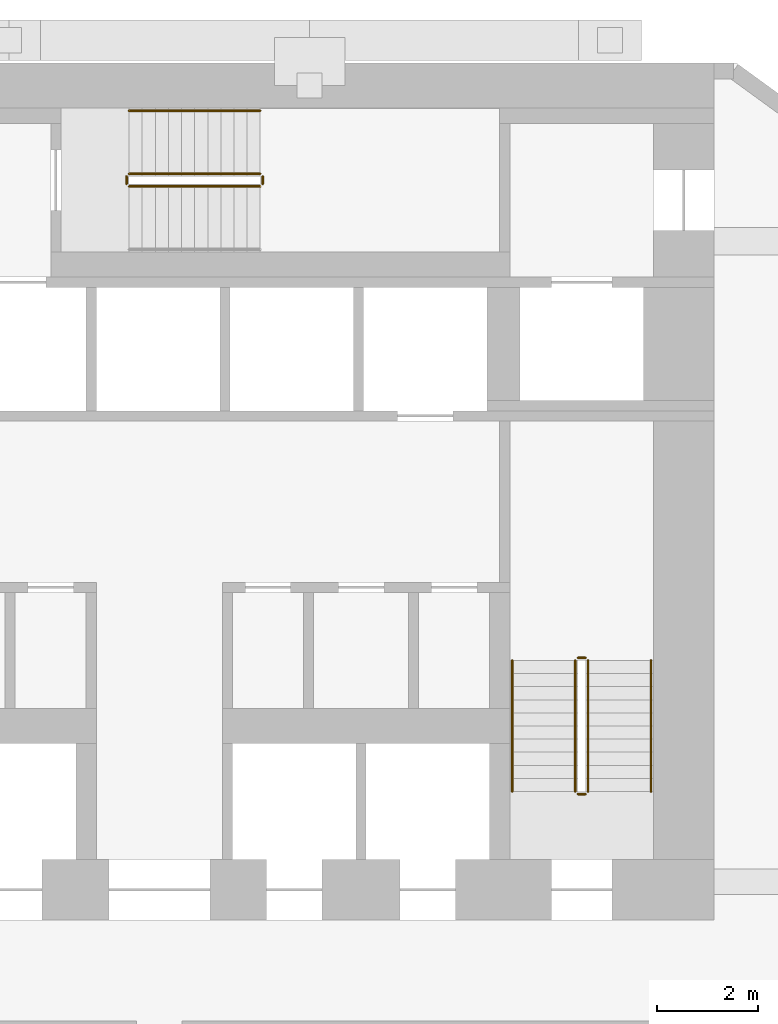
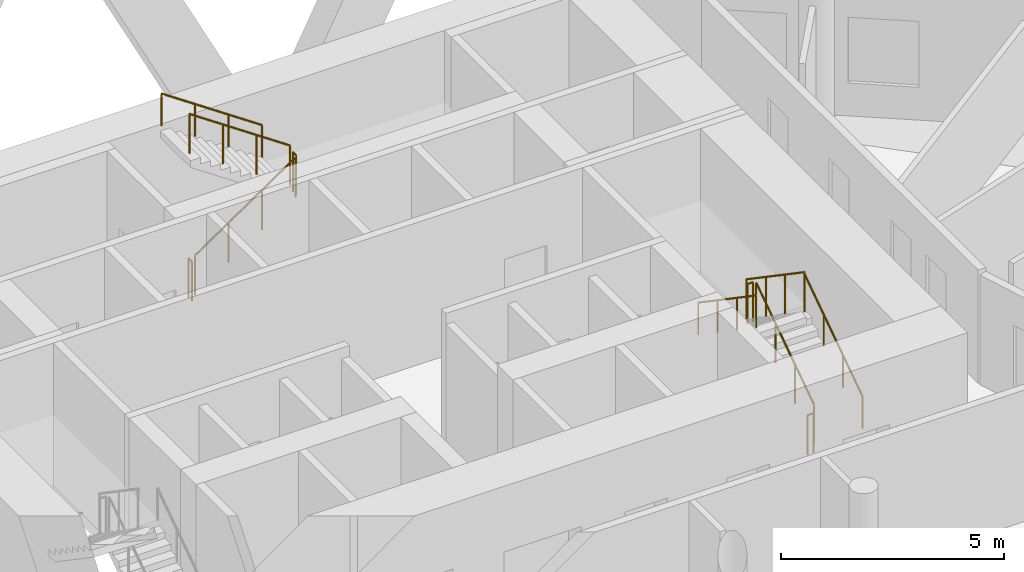
# One storey, part 10 of 10: 11 railings.
"""IFC4 building model written with IfcOpenShell, lengths in metres."""

from ifc_helpers import new_model, si_unit, direction, frame, origin, origin_2d, place, context, subcontext, project, spatial, circle, extrude, material, type_object, element, save


model = new_model("IFC4")

# Units and contexts
model_context = context("Model", 3, precision=1e-05, world=origin(), true_north=direction((0.0, 1.0)))
body_context = subcontext(model_context, "Body", "Model", "MODEL_VIEW")
ifc_project = project(units=[si_unit("LENGTHUNIT", "METRE"), si_unit("AREAUNIT", "SQUARE_METRE"), si_unit("VOLUMEUNIT", "CUBIC_METRE"), si_unit("PLANEANGLEUNIT", "RADIAN"), si_unit("MASSUNIT", "GRAM", prefix="KILO")], contexts=[model_context])

# Site, building, storey
site_placement = place(None, origin())
site = spatial("IfcSite", under=ifc_project, at=site_placement, CompositionType="ELEMENT")
building_placement = place(site_placement, origin())
building = spatial("IfcBuilding", under=site, at=building_placement, Name="White Candle Pilgrim Tower", CompositionType="ELEMENT")
storey_placement = place(building_placement, frame((0.0, 0.0, 54.60009765625)))
storey = spatial("IfcBuildingStorey", under=building, at=storey_placement, Name="L10", CompositionType="ELEMENT", Elevation=54.60009765625)

# Railings
ifc_material = material(Name="Stainless steel", Category="steel")
railing_type_1 = type_object("IfcRailingType", Name="Stair guard stainless steel 1100 mm", PredefinedType="GUARDRAIL", material=ifc_material)
railing_1_placement = place(storey_placement, frame((78.5, 73.550048828125, 0.17724609375)))
element("IfcRailing", 1, at=railing_1_placement, inside=storey, type_object=railing_type_1, Name="L10 ST2 stair guard 1", PredefinedType="GUARDRAIL", context=body_context, shape_type="SweptSolid", body=[
    extrude(circle(Radius=0.02392578125, at=origin_2d()), frame((0.0, 0.0, 1.076171875), z_axis=(0.0, 0.826215852431, 0.563353676824), x_axis=(-1.0, 0.0, 0.0)), (0.0, 0.0, 1.0), 3.146728515625),
    extrude(circle(Radius=0.02099609375, at=origin_2d()), origin(), (0.0, 0.0, 1.0), 1.052001953125),
    extrude(circle(Radius=0.02099609375, at=origin_2d()), frame((0.0, 0.86669921875, 0.5908203125)), (0.0, 0.0, 1.0), 1.052001953125),
    extrude(circle(Radius=0.02099609375, at=origin_2d()), frame((0.0, 1.733154296875, 1.181884765625)), (0.0, 0.0, 1.0), 1.052001953125),
    extrude(circle(Radius=0.02099609375, at=origin_2d()), frame((0.0, 2.599853515625, 1.772705078125)), (0.0, 0.0, 1.0), 1.052001953125),
])
railing_2_placement = place(storey_placement, frame((78.449951171875, 76.199951171875, 1.949951171875)))
element("IfcRailing", 2, at=railing_2_placement, inside=storey, type_object=railing_type_1, Name="L10 ST2 stair guard 2", PredefinedType="GUARDRAIL", context=body_context, shape_type="SweptSolid", body=[
    extrude(circle(Radius=0.02392578125, at=origin_2d()), frame((0.0, 0.0, 1.076171875), z_axis=(-1.0, 0.0, 0.0), x_axis=(0.0, -1.0, 0.0)), (0.0, 0.0, 1.0), 0.14990234375),
    extrude(circle(Radius=0.02099609375, at=origin_2d()), origin(), (0.0, 0.0, 1.0), 1.052001953125),
    extrude(circle(Radius=0.02099609375, at=origin_2d()), frame((-0.14990234375, 0.0, 0.0)), (0.0, 0.0, 1.0), 1.052001953125),
])
railing_3_placement = place(storey_placement, frame((78.25, 76.14990234375, 2.127197265625)))
element("IfcRailing", 3, at=railing_3_placement, inside=storey, type_object=railing_type_1, Name="L10 ST2 stair guard 3", PredefinedType="GUARDRAIL", context=body_context, shape_type="SweptSolid", body=[
    extrude(circle(Radius=0.02392578125, at=origin_2d()), frame((0.0, 0.0, 1.076171875), z_axis=(0.0, -0.826215852431, 0.563353676824), x_axis=(1.0, 0.0, 0.0)), (0.0, 0.0, 1.0), 3.146728515625),
    extrude(circle(Radius=0.02099609375, at=origin_2d()), origin(), (0.0, 0.0, 1.0), 1.052001953125),
    extrude(circle(Radius=0.02099609375, at=origin_2d()), frame((0.0, -0.86669921875, 0.5908203125)), (0.0, 0.0, 1.0), 1.052001953125),
    extrude(circle(Radius=0.02099609375, at=origin_2d()), frame((0.0, -1.733154296875, 1.181884765625)), (0.0, 0.0, 1.0), 1.052001953125),
    extrude(circle(Radius=0.02099609375, at=origin_2d()), frame((0.0, -2.599853515625, 1.772705078125)), (0.0, 0.0, 1.0), 1.052001953125),
])
railing_4_placement = place(storey_placement, frame((78.449951171875, 73.5, 0.0)))
element("IfcRailing", 4, at=railing_4_placement, inside=storey, type_object=railing_type_1, Name="L10 ST2 stair guard 4", PredefinedType="GUARDRAIL", context=body_context, shape_type="SweptSolid", body=[
    extrude(circle(Radius=0.02392578125, at=origin_2d()), frame((0.0, 0.0, 1.076171875), z_axis=(-1.0, 0.0, 0.0), x_axis=(0.0, -1.0, 0.0)), (0.0, 0.0, 1.0), 0.14990234375),
    extrude(circle(Radius=0.02099609375, at=origin_2d()), origin(), (0.0, 0.0, 1.0), 1.052001953125),
    extrude(circle(Radius=0.02099609375, at=origin_2d()), frame((-0.14990234375, 0.0, 0.0)), (0.0, 0.0, 1.0), 1.052001953125),
])
railing_5_placement = place(storey_placement, frame((69.39990234375, 85.550048828125, 0.17724609375)))
element("IfcRailing", 5, at=railing_5_placement, inside=storey, type_object=railing_type_1, Name="L10 ST3 stair guard 1", PredefinedType="GUARDRAIL", context=body_context, shape_type="SweptSolid", body=[
    extrude(circle(Radius=0.02392578125, at=origin_2d()), frame((0.0, 0.0, 1.076171875), z_axis=(0.826240473404, 0.0, 0.563317565952), x_axis=(0.0, 1.0, 0.0)), (0.0, 0.0, 1.0), 3.14697265625),
    extrude(circle(Radius=0.02099609375, at=origin_2d()), origin(), (0.0, 0.0, 1.0), 1.052001953125),
    extrude(circle(Radius=0.02099609375, at=origin_2d()), frame((0.86669921875, 0.0, 0.5908203125)), (0.0, 0.0, 1.0), 1.052001953125),
    extrude(circle(Radius=0.02099609375, at=origin_2d()), frame((1.7333984375, 0.0, 1.181884765625)), (0.0, 0.0, 1.0), 1.052001953125),
    extrude(circle(Radius=0.02099609375, at=origin_2d()), frame((2.60009765625, 0.0, 1.772705078125)), (0.0, 0.0, 1.0), 1.052001953125),
])
railing_6_placement = place(storey_placement, frame((72.050048828125, 85.60009765625, 1.949951171875)))
element("IfcRailing", 6, at=railing_6_placement, inside=storey, type_object=railing_type_1, Name="L10 ST3 stair guard 2", PredefinedType="GUARDRAIL", context=body_context, shape_type="SweptSolid", body=[
    extrude(circle(Radius=0.02392578125, at=origin_2d()), frame((0.0, 0.0, 1.076171875), z_axis=(0.0, 1.0, 0.0), x_axis=(-1.0, 0.0, 0.0)), (0.0, 0.0, 1.0), 0.14990234375),
    extrude(circle(Radius=0.02099609375, at=origin_2d()), origin(), (0.0, 0.0, 1.0), 1.052001953125),
    extrude(circle(Radius=0.02099609375, at=origin_2d()), frame((0.0, 0.14990234375, 0.0)), (0.0, 0.0, 1.0), 1.052001953125),
])
railing_7_placement = place(storey_placement, frame((72.0, 85.800048828125, 2.127197265625)))
element("IfcRailing", 7, at=railing_7_placement, inside=storey, type_object=railing_type_1, Name="L10 ST3 stair guard 3", PredefinedType="GUARDRAIL", context=body_context, shape_type="SweptSolid", body=[
    extrude(circle(Radius=0.02392578125, at=origin_2d()), frame((0.0, 0.0, 1.076171875), z_axis=(-0.826240473404, 0.0, 0.563317565952), x_axis=(0.0, -1.0, 0.0)), (0.0, 0.0, 1.0), 3.14697265625),
    extrude(circle(Radius=0.02099609375, at=origin_2d()), origin(), (0.0, 0.0, 1.0), 1.052001953125),
    extrude(circle(Radius=0.02099609375, at=origin_2d()), frame((-0.86669921875, 0.0, 0.5908203125)), (0.0, 0.0, 1.0), 1.052001953125),
    extrude(circle(Radius=0.02099609375, at=origin_2d()), frame((-1.7333984375, 0.0, 1.181884765625)), (0.0, 0.0, 1.0), 1.052001953125),
    extrude(circle(Radius=0.02099609375, at=origin_2d()), frame((-2.60009765625, 0.0, 1.772705078125)), (0.0, 0.0, 1.0), 1.052001953125),
])
railing_8_placement = place(storey_placement, frame((69.35009765625, 85.60009765625, 0.0)))
element("IfcRailing", 8, at=railing_8_placement, inside=storey, type_object=railing_type_1, Name="L10 ST3 stair guard 4", PredefinedType="GUARDRAIL", context=body_context, shape_type="SweptSolid", body=[
    extrude(circle(Radius=0.02392578125, at=origin_2d()), frame((0.0, 0.0, 1.076171875), z_axis=(0.0, 1.0, 0.0), x_axis=(-1.0, 0.0, 0.0)), (0.0, 0.0, 1.0), 0.14990234375),
    extrude(circle(Radius=0.02099609375, at=origin_2d()), origin(), (0.0, 0.0, 1.0), 1.052001953125),
    extrude(circle(Radius=0.02099609375, at=origin_2d()), frame((0.0, 0.14990234375, 0.0)), (0.0, 0.0, 1.0), 1.052001953125),
])
railing_type_2 = type_object("IfcRailingType", Name="Stair handrail stainless steel", PredefinedType="HANDRAIL", material=ifc_material)
railing_9_placement = place(storey_placement, frame((79.75, 73.550048828125, 0.17724609375)))
element("IfcRailing", 9, at=railing_9_placement, inside=storey, type_object=railing_type_2, Name="L10 ST2 stair handrail 1", PredefinedType="HANDRAIL", context=body_context, shape_type="SweptSolid", body=[
    extrude(circle(Radius=0.02392578125, at=origin_2d()), frame((0.0, 0.0, 0.8759765625), z_axis=(0.0, 0.826215852431, 0.563353676824), x_axis=(-1.0, 0.0, 0.0)), (0.0, 0.0, 1.0), 3.146728515625),
    extrude(circle(Radius=0.02099609375, at=origin_2d()), origin(), (0.0, 0.0, 1.0), 0.851806640625),
    extrude(circle(Radius=0.02099609375, at=origin_2d()), frame((0.0, 0.86669921875, 0.5908203125)), (0.0, 0.0, 1.0), 0.851806640625),
    extrude(circle(Radius=0.02099609375, at=origin_2d()), frame((0.0, 1.733154296875, 1.181884765625)), (0.0, 0.0, 1.0), 0.851806640625),
    extrude(circle(Radius=0.02099609375, at=origin_2d()), frame((0.0, 2.599853515625, 1.772705078125)), (0.0, 0.0, 1.0), 0.851806640625),
])
railing_10_placement = place(storey_placement, frame((77.0, 76.14990234375, 2.127197265625)))
element("IfcRailing", 10, at=railing_10_placement, inside=storey, type_object=railing_type_2, Name="L10 ST2 stair handrail 2", PredefinedType="HANDRAIL", context=body_context, shape_type="SweptSolid", body=[
    extrude(circle(Radius=0.02392578125, at=origin_2d()), frame((0.0, 0.0, 0.8759765625), z_axis=(0.0, -0.826215852431, 0.563353676824), x_axis=(1.0, 0.0, 0.0)), (0.0, 0.0, 1.0), 3.146728515625),
    extrude(circle(Radius=0.02099609375, at=origin_2d()), origin(), (0.0, 0.0, 1.0), 0.851806640625),
    extrude(circle(Radius=0.02099609375, at=origin_2d()), frame((0.0, -0.86669921875, 0.5908203125)), (0.0, 0.0, 1.0), 0.851806640625),
    extrude(circle(Radius=0.02099609375, at=origin_2d()), frame((0.0, -1.733154296875, 1.181884765625)), (0.0, 0.0, 1.0), 0.851806640625),
    extrude(circle(Radius=0.02099609375, at=origin_2d()), frame((0.0, -2.599853515625, 1.772705078125)), (0.0, 0.0, 1.0), 0.851806640625),
])
railing_11_placement = place(storey_placement, frame((72.0, 87.050048828125, 2.127197265625)))
element("IfcRailing", 11, at=railing_11_placement, inside=storey, type_object=railing_type_2, Name="L10 ST3 stair handrail 2", PredefinedType="HANDRAIL", context=body_context, shape_type="SweptSolid", body=[
    extrude(circle(Radius=0.02392578125, at=origin_2d()), frame((0.0, 0.0, 0.8759765625), z_axis=(-0.826240473404, 0.0, 0.563317565952), x_axis=(0.0, -1.0, 0.0)), (0.0, 0.0, 1.0), 3.14697265625),
    extrude(circle(Radius=0.02099609375, at=origin_2d()), origin(), (0.0, 0.0, 1.0), 0.851806640625),
    extrude(circle(Radius=0.02099609375, at=origin_2d()), frame((-0.86669921875, 0.0, 0.5908203125)), (0.0, 0.0, 1.0), 0.851806640625),
    extrude(circle(Radius=0.02099609375, at=origin_2d()), frame((-1.7333984375, 0.0, 1.181884765625)), (0.0, 0.0, 1.0), 0.851806640625),
    extrude(circle(Radius=0.02099609375, at=origin_2d()), frame((-2.60009765625, 0.0, 1.772705078125)), (0.0, 0.0, 1.0), 0.851806640625),
])

save(model, "model.ifc")
